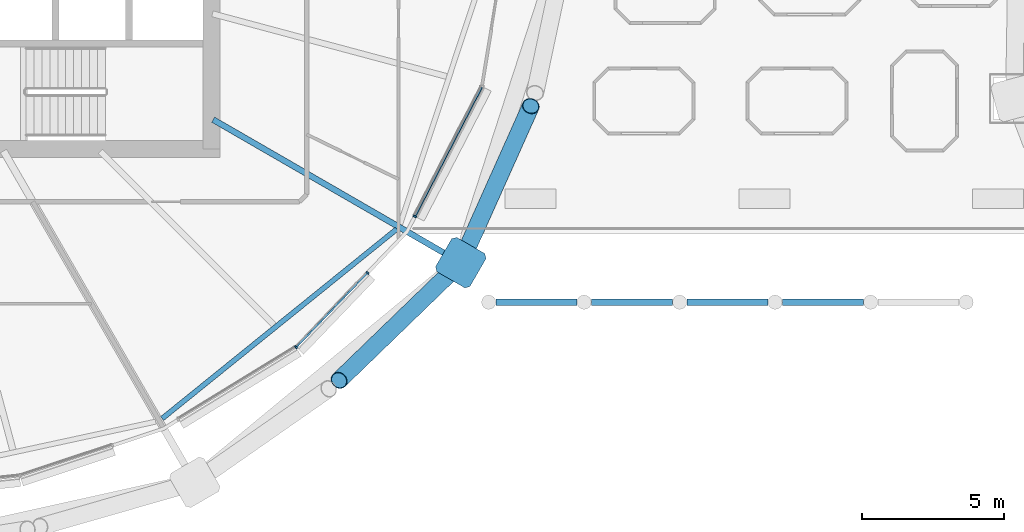
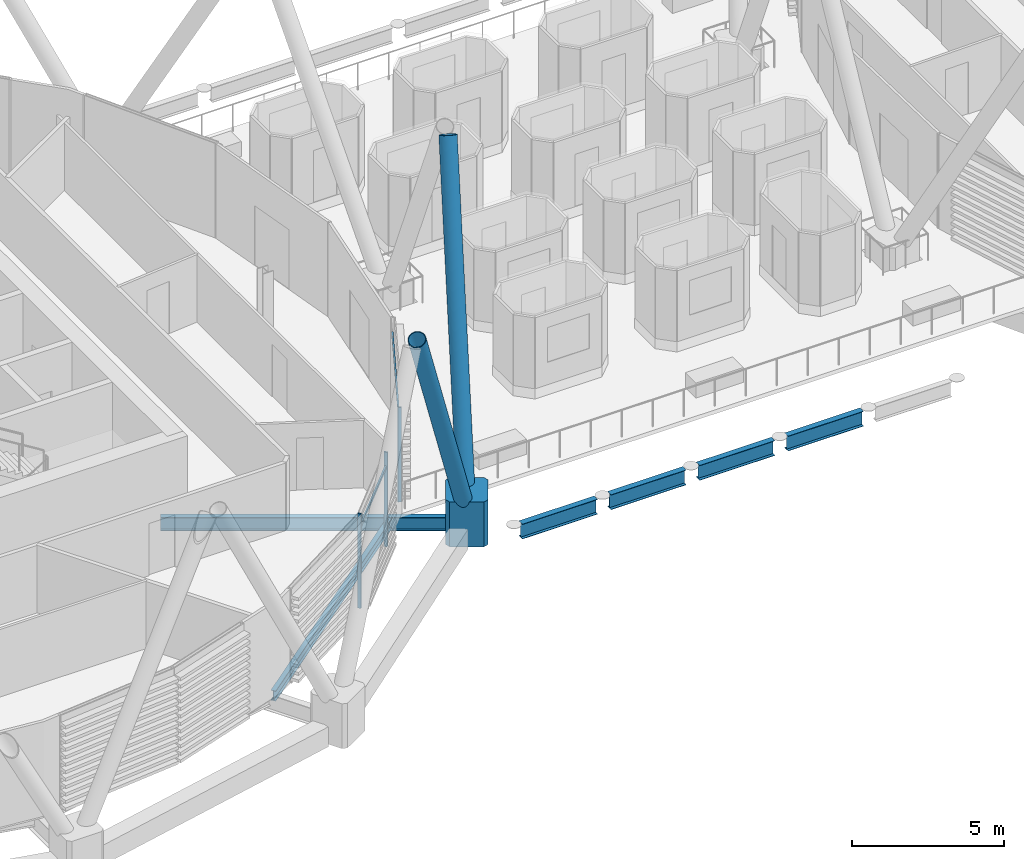
# One storey, part 6 of 38: 8 members, 6 beams, 1 element without a shape of its own.
"""IFC4 building model written with IfcOpenShell, lengths in metres."""

from ifc_helpers import new_model, si_unit, direction, frame, origin, origin_2d, place, context, subcontext, project, spatial, polyline, rectangle, hollow_circle, i_section, outline, extrude, material, material_profile, profile_set, type_object, element, aggregate, save


model = new_model("IFC4")

# Units and contexts
model_context = context("Model", 3, precision=1e-05, world=origin(), true_north=direction((0.0, 1.0)))
body_context = subcontext(model_context, "Body", "Model", "MODEL_VIEW")
ifc_project = project(units=[si_unit("LENGTHUNIT", "METRE"), si_unit("AREAUNIT", "SQUARE_METRE"), si_unit("VOLUMEUNIT", "CUBIC_METRE"), si_unit("PLANEANGLEUNIT", "RADIAN"), si_unit("MASSUNIT", "GRAM", prefix="KILO")], contexts=[model_context])

# Site, building, storey
site_placement = place(None, origin())
site = spatial("IfcSite", under=ifc_project, at=site_placement, CompositionType="ELEMENT")
building_placement = place(site_placement, origin())
building = spatial("IfcBuilding", under=site, at=building_placement, Name="Rimbun Link Towers", CompositionType="ELEMENT")
storey_placement = place(building_placement, frame((0.0, 0.0, 158.89990234375)))
storey = spatial("IfcBuildingStorey", under=building, at=storey_placement, Name="L38", CompositionType="ELEMENT", Elevation=158.89990234375)

# Curtain wall, members
ifc_material_1 = material(Name="Aluminium 6063-T6 and low-iron glass", Category="aluminium")
curtain_wall_type = type_object("IfcCurtainWallType", Name="CW1-Z3 unitised vision wall (zone 3)", PredefinedType="NOTDEFINED", material=ifc_material_1)
curtain_wall_placement = place(storey_placement, origin())
curtain_wall = element("IfcCurtainWall", 1, at=curtain_wall_placement, inside=storey, type_object=curtain_wall_type, Name="CW1 L38 T1", PredefinedType="NOTDEFINED")
ifc_material_2 = material(Name="Aluminium 6063-T6", Category="aluminium")
ifc_material_profile_1 = material_profile(ifc_material_2, rectangle(XDim=0.1201171875, YDim=0.06005859375, at=origin_2d()), Name="MULLION 60X120")
ifc_profile_set_1 = profile_set([ifc_material_profile_1], Name="Aluminium 6063-T6")
member_type_1 = type_object("IfcMemberType", Name="CW1 mullion 60X120", PredefinedType="MULLION", material=ifc_profile_set_1)
member_1_placement = place(storey_placement, frame((-16.76953125, -14.989501953125, 0.0), z_axis=(0.0, 0.0, 1.0), x_axis=(0.627675785623, -0.778474860315, 0.0)))
member_1 = element("IfcMember", 2, at=member_1_placement, type_object=member_type_1, Name="CW1 mullion", PredefinedType="MULLION", context=body_context, shape_type="SweptSolid", body=[
    extrude(rectangle(XDim=0.1201171875, YDim=0.06005859375, at=origin_2d()), origin(), (0.0, 0.0, 1.0), 3.800048828125),
])
member_2_placement = place(storey_placement, frame((-14.25048828125, -12.362548828125, 0.0), z_axis=(0.0, 0.0, 1.0), x_axis=(0.721847376977, -0.692052284405, 0.0)))
member_2 = element("IfcMember", 3, at=member_2_placement, type_object=member_type_1, Name="CW1 mullion", PredefinedType="MULLION", context=body_context, shape_type="SweptSolid", body=[
    extrude(rectangle(XDim=0.1201171875, YDim=0.06005859375, at=origin_2d()), origin(), (0.0, 0.0, 1.0), 3.800048828125),
])
member_3_placement = place(storey_placement, frame((-12.580810546875, -10.3720703125, 0.0), z_axis=(0.0, 0.0, 1.0), x_axis=(0.888144396677, -0.459564501078, 0.0)))
member_3 = element("IfcMember", 4, at=member_3_placement, type_object=member_type_1, Name="CW1 mullion", PredefinedType="MULLION", context=body_context, shape_type="SweptSolid", body=[
    extrude(rectangle(XDim=0.1201171875, YDim=0.06005859375, at=origin_2d()), origin(), (0.0, 0.0, 1.0), 3.800048828125),
])
ifc_material_3 = material(Name="Aluminium 6063-T6", Category="aluminium")
ifc_material_profile_2 = material_profile(ifc_material_3, rectangle(XDim=0.06005859375, YDim=0.1201171875, at=origin_2d()), Name="TRANSOM 60X120")
ifc_profile_set_2 = profile_set([ifc_material_profile_2], Name="Aluminium 6063-T6")
member_type_2 = type_object("IfcMemberType", Name="CW1 transom 60X120", PredefinedType="USERDEFINED", material=ifc_profile_set_2)
member_4_placement = place(storey_placement, frame((-14.272705078125, -12.3828125, 3.2001953125), z_axis=(-0.692049349553, -0.721850190679, 0.0), x_axis=(0.721850190679, -0.692049349553, 0.0)))
member_4 = element("IfcMember", 5, at=member_4_placement, type_object=member_type_2, Name="CW1 transom", ObjectType="TRANSOM", PredefinedType="USERDEFINED", context=body_context, shape_type="SweptSolid", body=[
    extrude(rectangle(XDim=0.06005859375, YDim=0.1201171875, at=origin_2d()), origin(), (0.0, 0.0, 1.0), 3.57177734375),
])
member_5_placement = place(storey_placement, frame((-10.22314453125, -5.811279296875, 3.2001953125), z_axis=(-0.459568651835, -0.888142248883, 0.0), x_axis=(0.888142248883, -0.459568651835, 0.0)))
member_5 = element("IfcMember", 6, at=member_5_placement, type_object=member_type_2, Name="CW1 transom", ObjectType="TRANSOM", PredefinedType="USERDEFINED", context=body_context, shape_type="SweptSolid", body=[
    extrude(rectangle(XDim=0.06005859375, YDim=0.1201171875, at=origin_2d()), origin(), (0.0, 0.0, 1.0), 5.104248046875),
])
aggregate(curtain_wall, [member_1, member_2, member_3, member_4, member_5])

# Members
ifc_material_4 = material(Name="Steel S355J2H", Category="steel")
ifc_material_profile_3 = material_profile(ifc_material_4, hollow_circle(Radius=0.3046875, WallThickness=0.02490234375, at=origin_2d()), Name="Diagrid diagonal CHS 610x25")
ifc_profile_set_3 = profile_set([ifc_material_profile_3], Name="Steel S355J2H")
member_type_3 = type_object("IfcMemberType", Name="Diagrid diagonal CHS 610x25", PredefinedType="BRACE", material=ifc_profile_set_3)
member_6_placement = place(storey_placement, frame((-11.13330078125, -12.168701171875, 0.439208984375), z_axis=(-0.344019842918, -0.332712783056, 0.878039037668), x_axis=(0.695195189217, -0.718821013111, 0.0)))
element("IfcMember", 7, at=member_6_placement, inside=storey, type_object=member_type_3, Name="Diagrid diagonal T1 L38-L41 22a", PredefinedType="BRACE", context=body_context, shape_type="SweptSolid", body=[
    extrude(hollow_circle(Radius=0.3046875, WallThickness=0.02490234375, at=origin_2d()), origin(), (0.0, 0.0, 1.0), 11.9833984375),
])
member_7_placement = place(storey_placement, frame((-10.862548828125, -11.781982421875, 0.437744140625), z_axis=(0.197341867555, 0.441089638924, 0.875497640056), x_axis=(-0.912808769251, 0.408387255896, 0.0)))
element("IfcMember", 8, at=member_7_placement, inside=storey, type_object=member_type_3, Name="Diagrid diagonal T1 L38-L41 22b", PredefinedType="BRACE", context=body_context, shape_type="SweptSolid", body=[
    extrude(hollow_circle(Radius=0.3046875, WallThickness=0.02490234375, at=origin_2d()), origin(), (0.0, 0.0, 1.0), 12.021240234375),
])
ifc_material_5 = material(Name="Cast steel G20Mn5+QT, Rp0.2 300 MPa", Category="steel")
ifc_material_profile_4 = material_profile(ifc_material_5, outline(polyline([(0.699951171875, -0.570068359375), (0.699951171875, 0.570068359375), (0.570068359375, 0.699951171875), (-0.570068359375, 0.699951171875), (-0.699951171875, 0.570068359375), (-0.699951171875, -0.570068359375), (-0.570068359375, -0.699951171875), (0.570068359375, -0.699951171875), (0.699951171875, -0.570068359375)])), Name="NODE 1400x1400")
ifc_profile_set_4 = profile_set([ifc_material_profile_4], Name="Cast steel G20Mn5+QT, Rp0.2 300 MPa")
member_type_4 = type_object("IfcMemberType", Name="Diagrid node cast 1400", PredefinedType="USERDEFINED", material=ifc_profile_set_4)
member_8_placement = place(storey_placement, frame((-10.961181640625, -12.00244140625, -0.89990234375), z_axis=(0.0, 0.0, 1.0), x_axis=(0.866025403784, -0.5, 0.0)))
element("IfcMember", 9, at=member_8_placement, inside=storey, type_object=member_type_4, Name="Diagrid node L38 22", ObjectType="Diagrid node", PredefinedType="USERDEFINED", context=body_context, shape_type="SweptSolid", body=[
    extrude(outline(polyline([(0.699951171875, -0.570068359375), (0.699951171875, 0.570068359375), (0.570068359375, 0.699951171875), (-0.570068359375, 0.699951171875), (-0.699951171875, 0.570068359375), (-0.699951171875, -0.570068359375), (-0.570068359375, -0.699951171875), (0.570068359375, -0.699951171875), (0.699951171875, -0.570068359375)])), origin(), (0.0, 0.0, 1.0), 1.800048828125),
])

# Beams
ifc_material_6 = material(Name="Steel S355J2", Category="steel")
ifc_material_profile_5 = material_profile(ifc_material_6, i_section(OverallWidth=0.2275390625, OverallDepth=0.6025390625, WebThickness=0.010498046875, FlangeThickness=0.014892578125, at=origin_2d()), Name="UB 610x229x101")
ifc_profile_set_5 = profile_set([ifc_material_profile_5], Name="Steel S355J2")
beam_type_1 = type_object("IfcBeamType", Name="Link megaframe ring beam UB 610x229x101", PredefinedType="BEAM", material=ifc_profile_set_5)
beam_1_placement = place(storey_placement, frame((-9.72412109375, -13.39990234375, -0.30126953125), z_axis=(1.0, 0.0, 0.0), x_axis=(0.0, 1.0, 0.0)))
element("IfcBeam", 10, at=beam_1_placement, inside=storey, type_object=beam_type_1, Name="Link megaframe ring beam S0-1 L38", PredefinedType="BEAM", context=body_context, shape_type="SweptSolid", body=[
    extrude(i_section(OverallWidth=0.2275390625, OverallDepth=0.6025390625, WebThickness=0.010498046875, FlangeThickness=0.014892578125, at=origin_2d()), origin(), (0.0, 0.0, 1.0), 2.861083984375),
])
for number, where, z_axis, x_axis, name in (
    (11, (-6.35498046875, -13.39990234375, -0.30126953125), (1.0, 0.0, 0.0), (0.0, 1.0, 0.0), "Link megaframe ring beam S1-2 L38"),
    (12, (-2.986083984375, -13.39990234375, -0.30126953125), (1.0, 0.0, 0.0), (0.0, 1.0, 0.0), "Link megaframe ring beam S2-3 L38"),
):
    element("IfcBeam", number, at=place(storey_placement, frame(where, z_axis=z_axis, x_axis=x_axis)), inside=storey, type_object=beam_type_1, Name=name, PredefinedType="BEAM", context=body_context, shape_type="SweptSolid", body=[
        extrude(i_section(OverallWidth=0.2275390625, OverallDepth=0.6025390625, WebThickness=0.010498046875, FlangeThickness=0.014892578125, at=origin_2d()), origin(), (0.0, 0.0, 1.0), 2.86083984375),
    ])
beam_2_placement = place(storey_placement, frame((0.3828125, -13.39990234375, -0.30126953125), z_axis=(1.0, 0.0, 0.0), x_axis=(0.0, 1.0, 0.0)))
element("IfcBeam", 13, at=beam_2_placement, inside=storey, type_object=beam_type_1, Name="Link megaframe ring beam S3-4 L38", PredefinedType="BEAM", context=body_context, shape_type="SweptSolid", body=[
    extrude(i_section(OverallWidth=0.2275390625, OverallDepth=0.6025390625, WebThickness=0.010498046875, FlangeThickness=0.014892578125, at=origin_2d()), origin(), (0.0, 0.0, 1.0), 2.861083984375),
])
ifc_material_7 = material(Name="Steel S355J2", Category="steel")
ifc_material_profile_6 = material_profile(ifc_material_7, i_section(OverallWidth=0.177978515625, OverallDepth=0.406494140625, WebThickness=0.0078125, FlangeThickness=0.0126953125, at=origin_2d()), Name="UB 406x178x60")
ifc_profile_set_6 = profile_set([ifc_material_profile_6], Name="Steel S355J2")
beam_type_2 = type_object("IfcBeamType", Name="UB 406x178x60", PredefinedType="BEAM", material=ifc_profile_set_6)
beam_3_placement = place(storey_placement, frame((-21.496826171875, -17.503173828125, -0.35302734375), z_axis=(0.77799683761, 0.628268191674, 0.0), x_axis=(-0.628268191674, 0.77799683761, 0.0)))
element("IfcBeam", 14, at=beam_3_placement, inside=storey, type_object=beam_type_2, Name="Edge beam T1 L38 20-22", PredefinedType="BEAM", context=body_context, shape_type="SweptSolid", body=[
    extrude(i_section(OverallWidth=0.177978515625, OverallDepth=0.406494140625, WebThickness=0.0078125, FlangeThickness=0.0126953125, at=origin_2d()), origin(), (0.0, 0.0, 1.0), 10.6376953125),
])
ifc_material_8 = material(Name="Steel S355J2", Category="steel")
ifc_material_profile_7 = material_profile(ifc_material_8, i_section(OverallWidth=0.209228515625, OverallDepth=0.533203125, WebThickness=0.010009765625, FlangeThickness=0.015625, at=origin_2d()), Name="UB 533x210x92")
ifc_profile_set_7 = profile_set([ifc_material_profile_7], Name="Steel S355J2")
beam_type_3 = type_object("IfcBeamType", Name="UB 533x210x92", PredefinedType="BEAM", material=ifc_profile_set_7)
beam_4_placement = place(storey_placement, frame((-19.69677734375, -6.958984375, -0.41650390625), z_axis=(0.866024859091, -0.500000943435, 0.0), x_axis=(0.500000943435, 0.866024859091, 0.0)))
element("IfcBeam", 15, at=beam_4_placement, inside=storey, type_object=beam_type_3, Name="Radial beam T1 L38 22", PredefinedType="BEAM", context=body_context, shape_type="SweptSolid", body=[
    extrude(i_section(OverallWidth=0.209228515625, OverallDepth=0.533203125, WebThickness=0.010009765625, FlangeThickness=0.015625, at=origin_2d()), origin(), (0.0, 0.0, 1.0), 9.5869140625),
])

save(model, "model.ifc")
